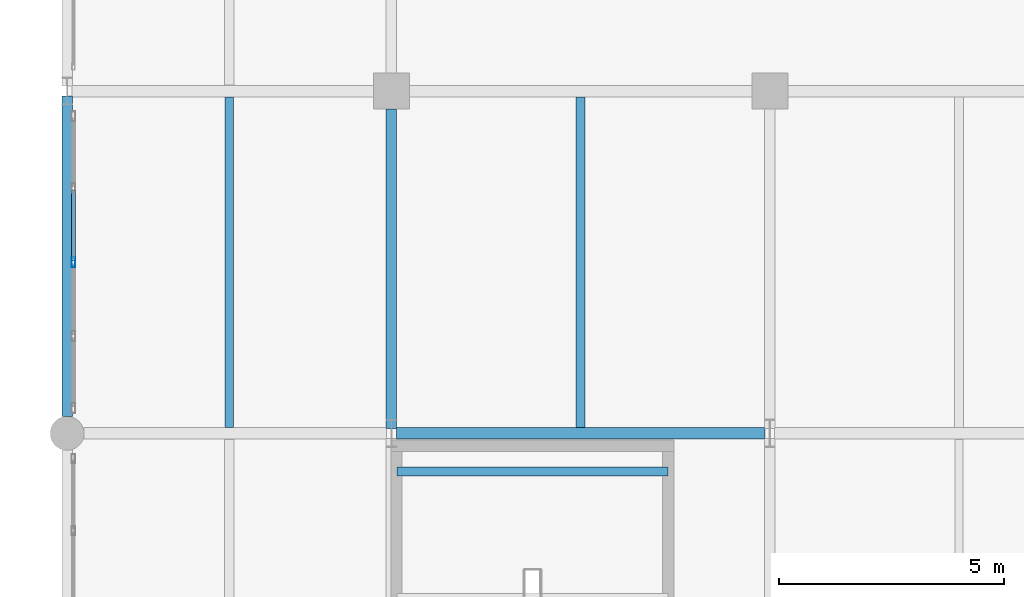
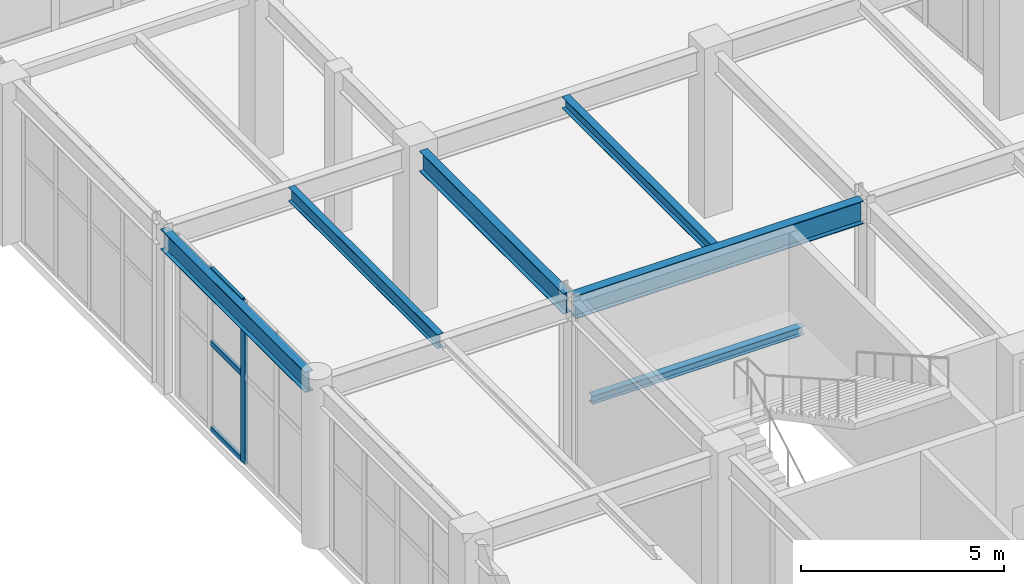
# One storey, part 50 of 128: 6 beams, 4 members, 1 element without a shape of its own.
"""IFC4 building model written with IfcOpenShell, lengths in metres."""

from ifc_helpers import new_model, si_unit, direction, frame, origin, origin_2d, place, context, subcontext, project, spatial, hollow_rectangle, i_section, extrude, material, layer, layer_set, material_profile, profile_set, type_object, element, aggregate, save


model = new_model("IFC4")

# Units and contexts
model_context = context("Model", 3, precision=1e-05, world=origin(), true_north=direction((0.0, 1.0)))
body_context = subcontext(model_context, "Body", "Model", "MODEL_VIEW")
ifc_project = project(units=[si_unit("LENGTHUNIT", "METRE"), si_unit("AREAUNIT", "SQUARE_METRE"), si_unit("VOLUMEUNIT", "CUBIC_METRE"), si_unit("PLANEANGLEUNIT", "RADIAN"), si_unit("MASSUNIT", "GRAM", prefix="KILO")], contexts=[model_context])

# Site, building, storey
site_placement = place(None, origin())
site = spatial("IfcSite", under=ifc_project, at=site_placement, CompositionType="ELEMENT")
building_placement = place(site_placement, origin())
building = spatial("IfcBuilding", under=site, at=building_placement, Name="Xicomal Pleat Aquarium", CompositionType="ELEMENT")
storey_placement = place(building_placement, frame((0.0, 0.0, 5.39990234375)))
storey = spatial("IfcBuildingStorey", under=building, at=storey_placement, Name="L02", CompositionType="ELEMENT", Elevation=5.39990234375)

# Beams
ifc_material_1 = material(Name="Structural steel A992 Gr 50", Category="steel")
ifc_material_profile_1 = material_profile(ifc_material_1, i_section(OverallWidth=0.201904296875, OverallDepth=0.2470703125, WebThickness=0.00732421875, FlangeThickness=0.010986328125, at=origin_2d()), Name="IR 250x49")
ifc_profile_set_1 = profile_set([ifc_material_profile_1], Name="Structural steel A992 Gr 50")
beam_type_1 = type_object("IfcBeamType", Name="BM-STL-IR250", PredefinedType="JOIST", material=ifc_profile_set_1)
beam_1_placement = place(storey_placement, frame((10.320068359375, 75.14990234375, 2.22900390625), z_axis=(1.0, 0.0, 0.0), x_axis=(0.0, 1.0, 0.0)))
element("IfcBeam", 1, at=beam_1_placement, inside=storey, type_object=beam_type_1, Name="ST-03-L02 half-landing bearer beam 1", PredefinedType="JOIST", context=body_context, shape_type="SweptSolid", body=[
    extrude(i_section(OverallWidth=0.201904296875, OverallDepth=0.2470703125, WebThickness=0.00732421875, FlangeThickness=0.010986328125, at=origin_2d()), origin(), (0.0, 0.0, 1.0), 6.02001953125),
])
ifc_material_2 = material(Name="Structural steel A992 Gr 50", Category="steel")
ifc_material_profile_2 = material_profile(ifc_material_2, i_section(OverallWidth=0.205078125, OverallDepth=0.35400390625, WebThickness=0.009521484375, FlangeThickness=0.016845703125, at=origin_2d()), Name="IR 360x79")
ifc_profile_set_2 = profile_set([ifc_material_profile_2], Name="Structural steel A992 Gr 50")
beam_type_2 = type_object("IfcBeamType", Name="BM-STL-IR360", PredefinedType="JOIST", material=ifc_profile_set_2)
beam_2_placement = place(storey_placement, frame((14.39990234375, 76.131103515625, 4.697998046875), z_axis=(0.0, 1.0, 0.0), x_axis=(-1.0, 0.0, 0.0)))
element("IfcBeam", 2, at=beam_2_placement, inside=storey, type_object=beam_type_2, Name="L02 framing beam FBJ-L02-02-L-1", PredefinedType="JOIST", context=body_context, shape_type="SweptSolid", body=[
    extrude(i_section(OverallWidth=0.205078125, OverallDepth=0.35400390625, WebThickness=0.009521484375, FlangeThickness=0.016845703125, at=origin_2d()), origin(), (0.0, 0.0, 1.0), 7.337890625),
])
ifc_material_3 = material(Name="Structural steel A992 Gr 50", Category="steel")
ifc_material_profile_3 = material_profile(ifc_material_3, i_section(OverallWidth=0.180908203125, OverallDepth=0.4169921875, WebThickness=0.010986328125, FlangeThickness=0.018310546875, at=origin_2d()), Name="IR 410x85")
ifc_profile_set_3 = profile_set([ifc_material_profile_3], Name="Structural steel A992 Gr 50")
beam_type_3 = type_object("IfcBeamType", Name="BM-STL-IR410", PredefinedType="JOIST", material=ifc_profile_set_3)
beam_3_placement = place(storey_placement, frame((6.60009765625, 76.131103515625, 4.66650390625), z_axis=(0.0, 1.0, 0.0), x_axis=(-1.0, 0.0, 0.0)))
element("IfcBeam", 3, at=beam_3_placement, inside=storey, type_object=beam_type_3, Name="L02 framing beam FBJ-L02-01-L-1", PredefinedType="JOIST", context=body_context, shape_type="SweptSolid", body=[
    extrude(i_section(OverallWidth=0.180908203125, OverallDepth=0.4169921875, WebThickness=0.010986328125, FlangeThickness=0.018310546875, at=origin_2d()), origin(), (0.0, 0.0, 1.0), 7.337890625),
])
ifc_material_4 = material(Name="Structural steel A992 Gr 50", Category="steel")
ifc_material_profile_4 = material_profile(ifc_material_4, i_section(OverallWidth=0.22998046875, OverallDepth=0.616943359375, WebThickness=0.01318359375, FlangeThickness=0.022216796875, at=origin_2d()), Name="IR 610x140")
ifc_profile_set_4 = profile_set([ifc_material_profile_4], Name="Structural steel A992 Gr 50")
beam_type_4 = type_object("IfcBeamType", Name="BM-STL-IR610", PredefinedType="BEAM", material=ifc_profile_set_4)
beam_4_placement = place(storey_placement, frame((3.0, 76.3701171875, 4.566650390625), z_axis=(0.0, 1.0, 0.0), x_axis=(-1.0, 0.0, 0.0)))
element("IfcBeam", 4, at=beam_4_placement, inside=storey, type_object=beam_type_4, Name="L02 framing beam FGY-L02-01-L-M", PredefinedType="BEAM", context=body_context, shape_type="SweptSolid", body=[
    extrude(i_section(OverallWidth=0.22998046875, OverallDepth=0.616943359375, WebThickness=0.01318359375, FlangeThickness=0.022216796875, at=origin_2d()), origin(), (0.0, 0.0, 1.0), 7.119873046875),
])
beam_5_placement = place(storey_placement, frame((10.199951171875, 76.110107421875, 4.566650390625), z_axis=(0.0, 1.0, 0.0), x_axis=(-1.0, 0.0, 0.0)))
element("IfcBeam", 5, at=beam_5_placement, inside=storey, type_object=beam_type_4, Name="L02 framing beam FGY-L02-02-L-M", PredefinedType="BEAM", context=body_context, shape_type="SweptSolid", body=[
    extrude(i_section(OverallWidth=0.22998046875, OverallDepth=0.616943359375, WebThickness=0.01318359375, FlangeThickness=0.022216796875, at=origin_2d()), origin(), (0.0, 0.0, 1.0), 7.094970703125),
])
ifc_material_5 = material(Name="Structural steel A992 Gr 50", Category="steel")
ifc_material_profile_5 = material_profile(ifc_material_5, i_section(OverallWidth=0.256103515625, OverallDepth=0.693115234375, WebThickness=0.014404296875, FlangeThickness=0.023681640625, at=origin_2d()), Name="IR 690x170")
ifc_profile_set_5 = profile_set([ifc_material_profile_5], Name="Structural steel A992 Gr 50")
beam_type_5 = type_object("IfcBeamType", Name="BM-STL-IR690", PredefinedType="BEAM", material=ifc_profile_set_5)
beam_6_placement = place(storey_placement, frame((10.31005859375, 76.0, 4.528564453125), z_axis=(1.0, 0.0, 0.0), x_axis=(0.0, 1.0, 0.0)))
element("IfcBeam", 6, at=beam_6_placement, inside=storey, type_object=beam_type_5, Name="L02 framing beam FGX-L02-02-03-L", PredefinedType="BEAM", context=body_context, shape_type="SweptSolid", body=[
    extrude(i_section(OverallWidth=0.256103515625, OverallDepth=0.693115234375, WebThickness=0.014404296875, FlangeThickness=0.023681640625, at=origin_2d()), origin(), (0.0, 0.0, 1.0), 8.179931640625),
])

# Curtain wall, members
ifc_material_6 = material(Name="Bronze anodized aluminium 6063-T6", Category="aluminium")
ifc_layer = layer(ifc_material_6, 0.159912109375)
ifc_layer_set = layer_set([ifc_layer], Name="Bronze anodized aluminium 6063-T6")
curtain_wall_type = type_object("IfcCurtainWallType", Name="CW-SYS-12", PredefinedType="NOTDEFINED", material=ifc_layer_set)
curtain_wall_placement = place(storey_placement, origin())
curtain_wall = element("IfcCurtainWall", 7, at=curtain_wall_placement, inside=storey, type_object=curtain_wall_type, Name="L02 unitised curtain wall CW-L02-125", PredefinedType="NOTDEFINED")
ifc_material_7 = material(Name="Bronze anodized aluminium 6063-T6", Category="aluminium")
ifc_material_profile_6 = material_profile(ifc_material_7, hollow_rectangle(XDim=0.0849609375, YDim=0.219970703125, WallThickness=0.0048828125, at=origin_2d()), Name="ALU MULL 85x220")
ifc_profile_set_6 = profile_set([ifc_material_profile_6], Name="Bronze anodized aluminium 6063-T6")
member_type_1 = type_object("IfcMemberType", Name="CWM-85x220", PredefinedType="MULLION", material=ifc_profile_set_6)
member_1_placement = place(storey_placement, frame((3.139892578125, 79.800048828125, 0.0), z_axis=(0.0, 0.0, 1.0), x_axis=(-1.0, 0.0, 0.0)))
member_1 = element("IfcMember", 8, at=member_1_placement, type_object=member_type_1, Name="CW-12 mullion 3", PredefinedType="MULLION", context=body_context, shape_type="SweptSolid", body=[
    extrude(hollow_rectangle(XDim=0.0849609375, YDim=0.219970703125, WallThickness=0.0048828125, at=origin_2d()), origin(), (0.0, 0.0, 1.0), 4.875),
])
ifc_material_8 = material(Name="Bronze anodized aluminium 6063-T6", Category="aluminium")
ifc_material_profile_7 = material_profile(ifc_material_8, hollow_rectangle(XDim=0.0849609375, YDim=0.169921875, WallThickness=0.0048828125, at=origin_2d()), Name="ALU TRAN 85x170")
ifc_profile_set_7 = profile_set([ifc_material_profile_7], Name="Bronze anodized aluminium 6063-T6")
member_type_2 = type_object("IfcMemberType", Name="CWT-85x170", PredefinedType="USERDEFINED", material=ifc_profile_set_7)
member_2_placement = place(storey_placement, frame((3.139892578125, 79.842529296875, 0.04248046875), z_axis=(0.0, 1.0, 0.0), x_axis=(-1.0, 0.0, 0.0)))
member_2 = element("IfcMember", 9, at=member_2_placement, type_object=member_type_2, Name="CW-12 transom 3.1", ObjectType="TRANSOM", PredefinedType="USERDEFINED", context=body_context, shape_type="SweptSolid", body=[
    extrude(hollow_rectangle(XDim=0.0849609375, YDim=0.169921875, WallThickness=0.0048828125, at=origin_2d()), origin(), (0.0, 0.0, 1.0), 1.554931640625),
])
member_3_placement = place(storey_placement, frame((3.139892578125, 79.842529296875, 2.633056640625), z_axis=(0.0, 1.0, 0.0), x_axis=(-1.0, 0.0, 0.0)))
member_3 = element("IfcMember", 10, at=member_3_placement, type_object=member_type_2, Name="CW-12 transom 3.2", ObjectType="TRANSOM", PredefinedType="USERDEFINED", context=body_context, shape_type="SweptSolid", body=[
    extrude(hollow_rectangle(XDim=0.0849609375, YDim=0.169921875, WallThickness=0.0048828125, at=origin_2d()), origin(), (0.0, 0.0, 1.0), 1.554931640625),
])
member_4_placement = place(storey_placement, frame((3.139892578125, 79.842529296875, 4.83251953125), z_axis=(0.0, 1.0, 0.0), x_axis=(-1.0, 0.0, 0.0)))
member_4 = element("IfcMember", 11, at=member_4_placement, type_object=member_type_2, Name="CW-12 transom 3.3", ObjectType="TRANSOM", PredefinedType="USERDEFINED", context=body_context, shape_type="SweptSolid", body=[
    extrude(hollow_rectangle(XDim=0.0849609375, YDim=0.169921875, WallThickness=0.0048828125, at=origin_2d()), origin(), (0.0, 0.0, 1.0), 1.554931640625),
])
aggregate(curtain_wall, [member_1, member_2, member_3, member_4])

save(model, "model.ifc")
